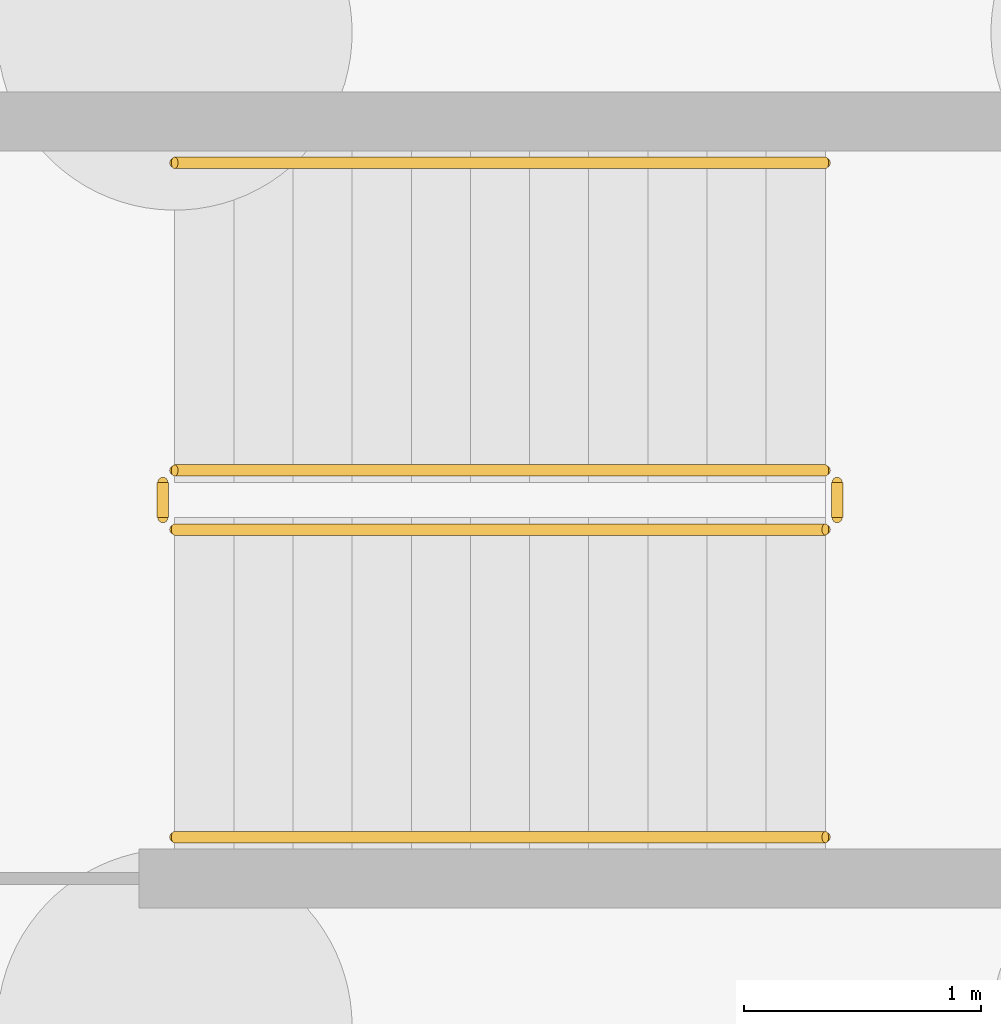
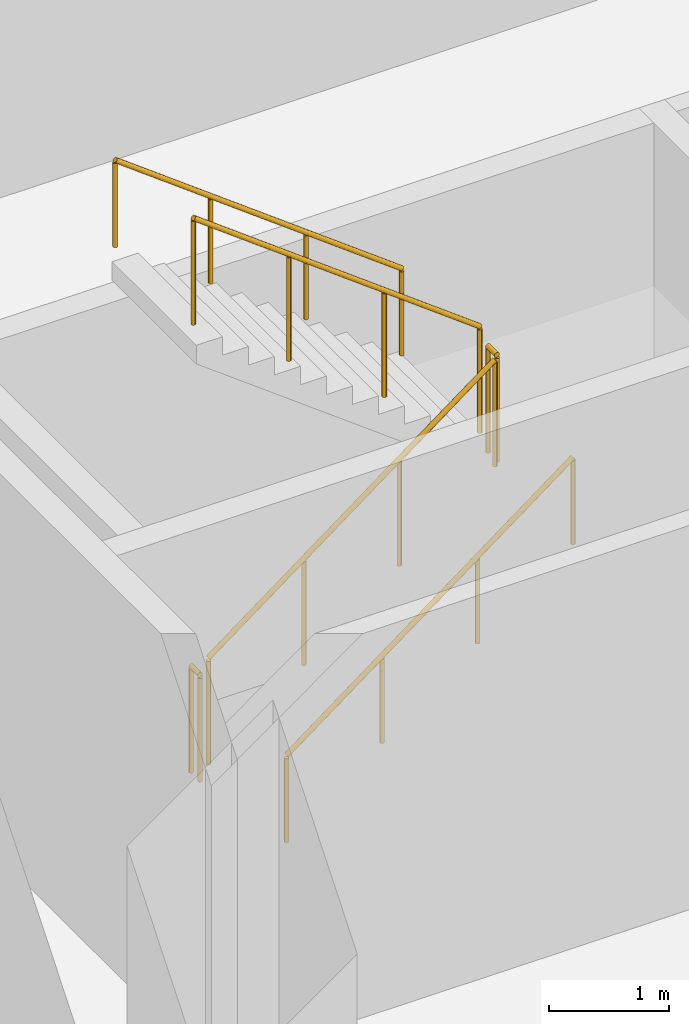
# One storey, part 12 of 13: 6 railings.
"""IFC4 building model written with IfcOpenShell, lengths in metres."""

from ifc_helpers import new_model, si_unit, direction, frame, origin, origin_2d, place, context, subcontext, project, spatial, circle, extrude, source, transform, mapped, material, type_object, element, save


model = new_model("IFC4")

# Units and contexts
model_context = context("Model", 3, precision=1e-05, world=origin(), true_north=direction((0.0, 1.0)))
body_context = subcontext(model_context, "Body", "Model", "MODEL_VIEW")
ifc_project = project(units=[si_unit("LENGTHUNIT", "METRE"), si_unit("AREAUNIT", "SQUARE_METRE"), si_unit("VOLUMEUNIT", "CUBIC_METRE"), si_unit("PLANEANGLEUNIT", "RADIAN"), si_unit("MASSUNIT", "GRAM", prefix="KILO")], contexts=[model_context])

# Site, building, storey
site_placement = place(None, origin())
site = spatial("IfcSite", under=ifc_project, at=site_placement, CompositionType="ELEMENT")
building_placement = place(site_placement, origin())
building = spatial("IfcBuilding", under=site, at=building_placement, Name="Aurelian Terraces", CompositionType="ELEMENT")
storey_placement = place(building_placement, frame((0.0, 0.0, -13.5)))
storey = spatial("IfcBuildingStorey", under=building, at=storey_placement, Name="B3", CompositionType="ELEMENT", Elevation=-13.5)

# Railings
ifc_material = material(Name="Stainless steel", Category="steel")
railing_type_1 = type_object("IfcRailingType", Name="Stair guard 1100", PredefinedType="GUARDRAIL", material=ifc_material)
railing_1_placement = place(storey_placement, frame((2.1, 42.0, 0.1875)))
element("IfcRailing", 1, at=railing_1_placement, inside=storey, type_object=railing_type_1, Name="B3 S3 stair guard 1", PredefinedType="GUARDRAIL", context=body_context, shape_type="SweptSolid", body=[
    extrude(circle(Radius=0.024, at=origin_2d()), frame((0.0, 0.0, 1.076), z_axis=(0.8, 0.0, 0.6), x_axis=(0.0, 1.0, 0.0)), (0.0, 0.0, 1.0), 3.4375),
    extrude(circle(Radius=0.021, at=origin_2d()), origin(), (0.0, 0.0, 1.0), 1.052),
    extrude(circle(Radius=0.021, at=origin_2d()), frame((0.9167, 0.0, 0.6875)), (0.0, 0.0, 1.0), 1.052),
    extrude(circle(Radius=0.021, at=origin_2d()), frame((1.8333, 0.0, 1.375)), (0.0, 0.0, 1.0), 1.052),
    extrude(circle(Radius=0.021, at=origin_2d()), frame((2.75, 0.0, 2.0625)), (0.0, 0.0, 1.0), 1.052),
])
railing_2_placement = place(storey_placement, frame((4.9, 42.05, 2.25)))
element("IfcRailing", 2, at=railing_2_placement, inside=storey, type_object=railing_type_1, Name="B3 S3 stair guard 2", PredefinedType="GUARDRAIL", context=body_context, shape_type="SweptSolid", body=[
    extrude(circle(Radius=0.024, at=origin_2d()), frame((0.0, 0.0, 1.076), z_axis=(0.0, 1.0, 0.0), x_axis=(-1.0, 0.0, 0.0)), (0.0, 0.0, 1.0), 0.15),
    extrude(circle(Radius=0.021, at=origin_2d()), origin(), (0.0, 0.0, 1.0), 1.052),
    extrude(circle(Radius=0.021, at=origin_2d()), frame((0.0, 0.15, 0.0)), (0.0, 0.0, 1.0), 1.052),
])
railing_3_placement = place(storey_placement, frame((4.85, 42.25, 2.4375)))
element("IfcRailing", 3, at=railing_3_placement, inside=storey, type_object=railing_type_1, Name="B3 S3 stair guard 3", PredefinedType="GUARDRAIL", context=body_context, shape_type="SweptSolid", body=[
    extrude(circle(Radius=0.024, at=origin_2d()), frame((0.0, 0.0, 1.076), z_axis=(-0.8, 0.0, 0.6), x_axis=(0.0, -1.0, 0.0)), (0.0, 0.0, 1.0), 3.4375),
    extrude(circle(Radius=0.021, at=origin_2d()), origin(), (0.0, 0.0, 1.0), 1.052),
    extrude(circle(Radius=0.021, at=origin_2d()), frame((-0.9167, 0.0, 0.6875)), (0.0, 0.0, 1.0), 1.052),
    extrude(circle(Radius=0.021, at=origin_2d()), frame((-1.8333, 0.0, 1.375)), (0.0, 0.0, 1.0), 1.052),
    extrude(circle(Radius=0.021, at=origin_2d()), frame((-2.75, 0.0, 2.0625)), (0.0, 0.0, 1.0), 1.052),
])
railing_type_2 = type_object("IfcRailingType", Name="Stair handrail", PredefinedType="HANDRAIL", material=ifc_material)
railing_4_placement = place(storey_placement, frame((2.1, 40.7, 0.1875)))
element("IfcRailing", 4, at=railing_4_placement, inside=storey, type_object=railing_type_2, Name="B3 S3 stair handrail 1", PredefinedType="HANDRAIL", context=body_context, shape_type="SweptSolid", body=[
    extrude(circle(Radius=0.024, at=origin_2d()), frame((0.0, 0.0, 0.876), z_axis=(0.8, 0.0, 0.6), x_axis=(0.0, 1.0, 0.0)), (0.0, 0.0, 1.0), 3.4375),
    extrude(circle(Radius=0.021, at=origin_2d()), origin(), (0.0, 0.0, 1.0), 0.852),
    extrude(circle(Radius=0.021, at=origin_2d()), frame((0.9167, 0.0, 0.6875)), (0.0, 0.0, 1.0), 0.852),
    extrude(circle(Radius=0.021, at=origin_2d()), frame((1.8333, 0.0, 1.375)), (0.0, 0.0, 1.0), 0.852),
    extrude(circle(Radius=0.021, at=origin_2d()), frame((2.75, 0.0, 2.0625)), (0.0, 0.0, 1.0), 0.852),
])
railing_5_placement = place(storey_placement, frame((4.85, 43.55, 2.4375)))
element("IfcRailing", 5, at=railing_5_placement, inside=storey, type_object=railing_type_2, Name="B3 S3 stair handrail 2", PredefinedType="HANDRAIL", context=body_context, shape_type="SweptSolid", body=[
    extrude(circle(Radius=0.024, at=origin_2d()), frame((0.0, 0.0, 0.876), z_axis=(-0.8, 0.0, 0.6), x_axis=(0.0, -1.0, 0.0)), (0.0, 0.0, 1.0), 3.4375),
    extrude(circle(Radius=0.021, at=origin_2d()), origin(), (0.0, 0.0, 1.0), 0.852),
    extrude(circle(Radius=0.021, at=origin_2d()), frame((-0.9167, 0.0, 0.6875)), (0.0, 0.0, 1.0), 0.852),
    extrude(circle(Radius=0.021, at=origin_2d()), frame((-1.8333, 0.0, 1.375)), (0.0, 0.0, 1.0), 0.852),
    extrude(circle(Radius=0.021, at=origin_2d()), frame((-2.75, 0.0, 2.0625)), (0.0, 0.0, 1.0), 0.852),
])
shared_shape = source(origin(), body_context, "Body", "SweptSolid", [
    extrude(circle(Radius=0.024, at=origin_2d()), frame((0.0, 0.0, 1.076), z_axis=(0.0, 1.0, 0.0), x_axis=(-1.0, 0.0, 0.0)), (0.0, 0.0, 1.0), 0.15),
    extrude(circle(Radius=0.021, at=origin_2d()), origin(), (0.0, 0.0, 1.0), 1.052),
    extrude(circle(Radius=0.021, at=origin_2d()), frame((0.0, 0.15, 0.0)), (0.0, 0.0, 1.0), 1.052),
])
railing_6_placement = place(storey_placement, frame((2.05, 42.05, 0.0)))
element("IfcRailing", 6, at=railing_6_placement, inside=storey, type_object=railing_type_1, Name="B3 S3 stair guard 4", PredefinedType="GUARDRAIL", context=body_context, shape_type="MappedRepresentation", body=[
    mapped(shared_shape, transform((0.0, 0.0, 0.0), scale=1.0)),
])

save(model, "model.ifc")
